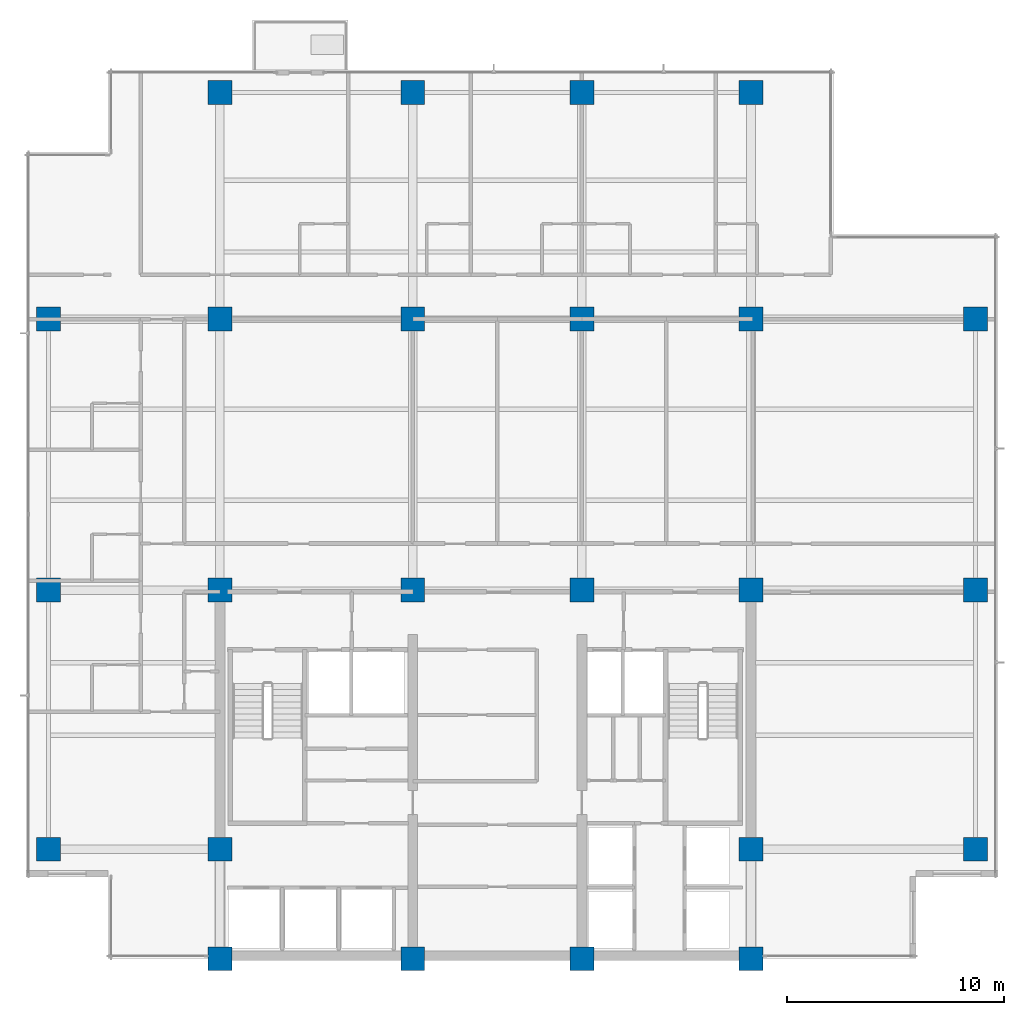
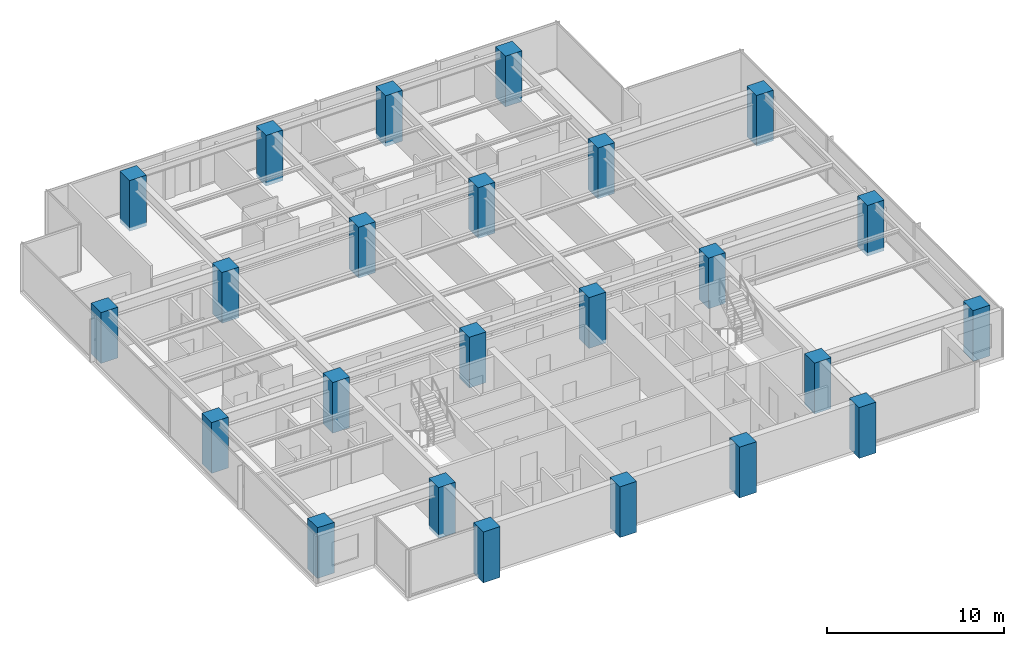
# One storey, part 1 of 14: 24 columns.
"""IFC4 building model written with IfcOpenShell, lengths in metres."""

from ifc_helpers import new_model, si_unit, direction, frame, origin, origin_2d, place, context, subcontext, project, spatial, rectangle, extrude, material, material_profile, profile_set, type_object, element, save


model = new_model("IFC4")

# Units and contexts
model_context = context("Model", 3, precision=1e-05, world=origin(), true_north=direction((0.0, 1.0)))
body_context = subcontext(model_context, "Body", "Model", "MODEL_VIEW")
ifc_project = project(units=[si_unit("LENGTHUNIT", "METRE"), si_unit("AREAUNIT", "SQUARE_METRE"), si_unit("VOLUMEUNIT", "CUBIC_METRE"), si_unit("PLANEANGLEUNIT", "RADIAN"), si_unit("MASSUNIT", "GRAM", prefix="KILO")], contexts=[model_context])

# Site, building, storey
site_placement = place(None, origin())
site = spatial("IfcSite", under=ifc_project, at=site_placement, CompositionType="ELEMENT")
building_placement = place(site_placement, origin())
building = spatial("IfcBuilding", under=site, at=building_placement, Name="Qalmaran Belvedere Hotel", CompositionType="ELEMENT")
storey_placement = place(building_placement, frame((0.0, 0.0, 156.10009765625)))
storey = spatial("IfcBuildingStorey", under=building, at=storey_placement, Name="L39", CompositionType="ELEMENT", Elevation=156.10009765625)

# Columns
ifc_material = material(Name="Concrete C50/60", Category="concrete")
ifc_material_profile = material_profile(ifc_material, rectangle(XDim=1.10009765625, YDim=1.10009765625, at=origin_2d()), Name="CC1100X1100")
ifc_profile_set = profile_set([ifc_material_profile], Name="Concrete C50/60")
column_type = type_object("IfcColumnType", Name="COL-Z3-CC1100", PredefinedType="COLUMN", material=ifc_profile_set)
for number, where, z_axis, x_axis, name in (
    (1, (20.300048828125, 3.5, -0.25), (0.0, 0.0, 1.0), (1.0, 0.0, 0.0), "L39 Column C4B"),
    (2, (29.199951171875, 3.5, -0.25), (0.0, 0.0, 1.0), (1.0, 0.0, 0.0), "L39 Column C5B"),
    (3, (37.0, 3.5, -0.25), (0.0, 0.0, 1.0), (1.0, 0.0, 0.0), "L39 Column C6B"),
    (4, (44.800048828125, 3.5, -0.25), (0.0, 0.0, 1.0), (1.0, 0.0, 0.0), "L39 Column C7B"),
    (5, (20.300048828125, 8.550048828125, -0.25), (0.0, 0.0, 1.0), (1.0, 0.0, 0.0), "L39 Column C4C"),
    (6, (44.800048828125, 8.550048828125, -0.25), (0.0, 0.0, 1.0), (1.0, 0.0, 0.0), "L39 Column C7C"),
    (7, (20.300048828125, 20.5, -0.25), (0.0, 0.0, 1.0), (1.0, 0.0, 0.0), "L39 Column C4D"),
    (8, (29.199951171875, 20.5, -0.25), (0.0, 0.0, 1.0), (1.0, 0.0, 0.0), "L39 Column C5D"),
    (9, (37.0, 20.5, -0.25), (0.0, 0.0, 1.0), (1.0, 0.0, 0.0), "L39 Column C6D"),
    (10, (44.800048828125, 20.5, -0.25), (0.0, 0.0, 1.0), (1.0, 0.0, 0.0), "L39 Column C7D"),
    (11, (20.300048828125, 33.0, -0.25), (0.0, 0.0, 1.0), (1.0, 0.0, 0.0), "L39 Column C4F"),
    (12, (29.199951171875, 33.0, -0.25), (0.0, 0.0, 1.0), (1.0, 0.0, 0.0), "L39 Column C5F"),
    (13, (37.0, 33.0, -0.25), (0.0, 0.0, 1.0), (1.0, 0.0, 0.0), "L39 Column C6F"),
    (14, (44.800048828125, 33.0, -0.25), (0.0, 0.0, 1.0), (1.0, 0.0, 0.0), "L39 Column C7F"),
    (15, (12.39990234375, 8.550048828125, -0.25), (0.0, 0.0, 1.0), (1.0, 0.0, 0.0), "L39 Column CW1"),
    (16, (12.39990234375, 20.5, -0.25), (0.0, 0.0, 1.0), (1.0, 0.0, 0.0), "L39 Column CW3"),
    (17, (12.39990234375, 33.0, -0.25), (0.0, 0.0, 1.0), (1.0, 0.0, 0.0), "L39 Column CW4"),
    (18, (55.14990234375, 8.550048828125, -0.25), (0.0, 0.0, 1.0), (1.0, 0.0, 0.0), "L39 Column CE1"),
    (19, (55.14990234375, 20.5, -0.25), (0.0, 0.0, 1.0), (1.0, 0.0, 0.0), "L39 Column CE3"),
    (20, (55.14990234375, 33.0, -0.25), (0.0, 0.0, 1.0), (1.0, 0.0, 0.0), "L39 Column CE4"),
    (21, (20.300048828125, 43.449951171875, -0.25), (0.0, 0.0, 1.0), (1.0, 0.0, 0.0), "L39 Column CN1"),
    (22, (29.199951171875, 43.449951171875, -0.25), (0.0, 0.0, 1.0), (1.0, 0.0, 0.0), "L39 Column CN2"),
    (23, (37.0, 43.449951171875, -0.25), (0.0, 0.0, 1.0), (1.0, 0.0, 0.0), "L39 Column CN3"),
    (24, (44.800048828125, 43.449951171875, -0.25), (0.0, 0.0, 1.0), (1.0, 0.0, 0.0), "L39 Column CN4"),
):
    element("IfcColumn", number, at=place(storey_placement, frame(where, z_axis=z_axis, x_axis=x_axis)), inside=storey, type_object=column_type, Name=name, PredefinedType="COLUMN", context=body_context, shape_type="SweptSolid", body=[
        extrude(rectangle(XDim=1.10009765625, YDim=1.10009765625, at=origin_2d()), origin(), (0.0, 0.0, 1.0), 3.5),
    ])

save(model, "model.ifc")
